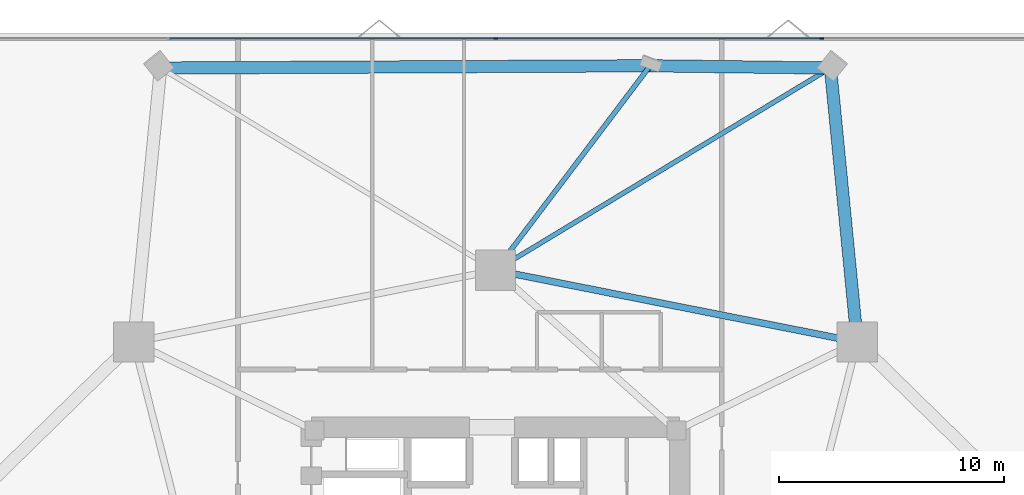
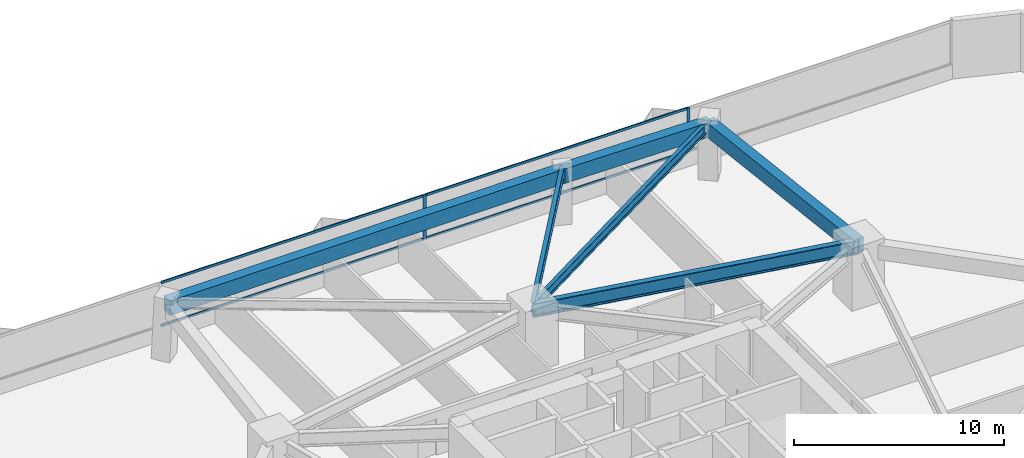
# One storey, part 12 of 20: 6 beams, 6 members, 1 element without a shape of its own.
"""IFC4 building model written with IfcOpenShell, lengths in metres."""

from ifc_helpers import new_model, si_unit, direction, frame, origin, origin_2d, place, context, subcontext, project, spatial, rectangle, i_section, extrude, material, layer, layer_set, material_profile, profile_set, type_object, element, aggregate, save


model = new_model("IFC4")

# Units and contexts
model_context = context("Model", 3, precision=1e-05, world=origin(), true_north=direction((0.0, 1.0)))
body_context = subcontext(model_context, "Body", "Model", "MODEL_VIEW")
ifc_project = project(units=[si_unit("LENGTHUNIT", "METRE"), si_unit("AREAUNIT", "SQUARE_METRE"), si_unit("VOLUMEUNIT", "CUBIC_METRE"), si_unit("PLANEANGLEUNIT", "RADIAN"), si_unit("MASSUNIT", "GRAM", prefix="KILO")], contexts=[model_context])

# Site, building, storey
site_placement = place(None, origin())
site = spatial("IfcSite", under=ifc_project, at=site_placement, CompositionType="ELEMENT")
building_placement = place(site_placement, origin())
building = spatial("IfcBuilding", under=site, at=building_placement, Name="Talyreon Biosciences Tower", CompositionType="ELEMENT")
storey_placement = place(building_placement, frame((0.0, 0.0, 41.050048828125)))
storey = spatial("IfcBuildingStorey", under=building, at=storey_placement, Name="L10", CompositionType="ELEMENT", Elevation=41.050048828125)

# Curtain wall, members
ifc_material_1 = material(Name="Thermally broken aluminium and low-E glazing", Category="aluminium")
ifc_layer = layer(ifc_material_1, 0.195068359375)
ifc_layer_set = layer_set([ifc_layer], Name="Thermally broken aluminium and low-E glazing")
curtain_wall_type = type_object("IfcCurtainWallType", Name="CurtainWall_Zone1WetLab", PredefinedType="NOTDEFINED", material=ifc_layer_set)
curtain_wall_placement = place(storey_placement, origin())
curtain_wall = element("IfcCurtainWall", 1, at=curtain_wall_placement, inside=storey, type_object=curtain_wall_type, Name="L10 Unitised Curtain Wall FCW-L10-04", PredefinedType="NOTDEFINED")
ifc_material_2 = material(Name="Anodised thermally broken aluminium", Category="aluminium")
ifc_material_profile_1 = material_profile(ifc_material_2, rectangle(XDim=0.06494140625, YDim=0.179931640625, at=origin_2d()), Name="ALUM MULLION 65x180")
ifc_profile_set_1 = profile_set([ifc_material_profile_1], Name="Anodised thermally broken aluminium")
member_type_1 = type_object("IfcMemberType", Name="CWMullion_65x180", PredefinedType="MULLION", material=ifc_profile_set_1)
member_1_placement = place(storey_placement, frame((66.0, 92.107421875, 0.81005859375), z_axis=(0.0, 0.0, 1.0), x_axis=(0.0, 1.0, 0.0)))
member_1 = element("IfcMember", 2, at=member_1_placement, type_object=member_type_1, Name="CW2 mullion 3", PredefinedType="MULLION", context=body_context, shape_type="SweptSolid", body=[
    extrude(rectangle(XDim=0.06494140625, YDim=0.179931640625, at=origin_2d()), origin(), (0.0, 0.0, 1.0), 2.56494140625),
])
member_2_placement = place(storey_placement, frame((80.52294921875, 92.107421875, 0.81005859375), z_axis=(0.0, 0.0, 1.0), x_axis=(0.0, 1.0, 0.0)))
member_2 = element("IfcMember", 3, at=member_2_placement, type_object=member_type_1, Name="CW2 mullion 4", PredefinedType="MULLION", context=body_context, shape_type="SweptSolid", body=[
    extrude(rectangle(XDim=0.06494140625, YDim=0.179931640625, at=origin_2d()), origin(), (0.0, 0.0, 1.0), 2.56494140625),
])
ifc_material_profile_2 = material_profile(ifc_material_2, rectangle(XDim=0.06494140625, YDim=0.139892578125, at=origin_2d()), Name="ALUM TRANSOM 65x140")
ifc_profile_set_2 = profile_set([ifc_material_profile_2], Name="Anodised thermally broken aluminium")
member_type_2 = type_object("IfcMemberType", Name="CWTransom_65x140", PredefinedType="USERDEFINED", material=ifc_profile_set_2)
member_3_placement = place(storey_placement, frame((51.509521484375, 92.107421875, 0.842529296875), z_axis=(1.0, 0.0, 0.0), x_axis=(0.0, 1.0, 0.0)))
member_3 = element("IfcMember", 4, at=member_3_placement, type_object=member_type_2, Name="CW2 transom 2.1", ObjectType="TRANSOM", PredefinedType="USERDEFINED", context=body_context, shape_type="SweptSolid", body=[
    extrude(rectangle(XDim=0.06494140625, YDim=0.139892578125, at=origin_2d()), origin(), (0.0, 0.0, 1.0), 14.4580078125),
])
member_4_placement = place(storey_placement, frame((51.509521484375, 92.107421875, 3.342529296875), z_axis=(1.0, 0.0, 0.0), x_axis=(0.0, 1.0, 0.0)))
member_4 = element("IfcMember", 5, at=member_4_placement, type_object=member_type_2, Name="CW2 transom 2.2", ObjectType="TRANSOM", PredefinedType="USERDEFINED", context=body_context, shape_type="SweptSolid", body=[
    extrude(rectangle(XDim=0.06494140625, YDim=0.139892578125, at=origin_2d()), origin(), (0.0, 0.0, 1.0), 14.4580078125),
])
member_5_placement = place(storey_placement, frame((66.032470703125, 92.107421875, 0.842529296875), z_axis=(1.0, 0.0, 0.0), x_axis=(0.0, 1.0, 0.0)))
member_5 = element("IfcMember", 6, at=member_5_placement, type_object=member_type_2, Name="CW2 transom 3.1", ObjectType="TRANSOM", PredefinedType="USERDEFINED", context=body_context, shape_type="SweptSolid", body=[
    extrude(rectangle(XDim=0.06494140625, YDim=0.139892578125, at=origin_2d()), origin(), (0.0, 0.0, 1.0), 14.4580078125),
])
member_6_placement = place(storey_placement, frame((66.032470703125, 92.107421875, 3.342529296875), z_axis=(1.0, 0.0, 0.0), x_axis=(0.0, 1.0, 0.0)))
member_6 = element("IfcMember", 7, at=member_6_placement, type_object=member_type_2, Name="CW2 transom 3.2", ObjectType="TRANSOM", PredefinedType="USERDEFINED", context=body_context, shape_type="SweptSolid", body=[
    extrude(rectangle(XDim=0.06494140625, YDim=0.139892578125, at=origin_2d()), origin(), (0.0, 0.0, 1.0), 14.4580078125),
])
aggregate(curtain_wall, [member_1, member_2, member_3, member_4, member_5, member_6])

# Beams
ifc_material_3 = material(Name="Precast concrete C45/55", Category="concrete")
ifc_material_profile_3 = material_profile(ifc_material_3, rectangle(XDim=0.550048828125, YDim=0.85009765625, at=origin_2d()), Name="RCB 550x850")
ifc_profile_set_3 = profile_set([ifc_material_profile_3], Name="Precast concrete C45/55")
beam_type_1 = type_object("IfcBeamType", Name="ExpressedSpandrel_550x850", PredefinedType="SPANDREL", material=ifc_profile_set_3)
beam_1_placement = place(storey_placement, frame((82.102294921875, 78.5986328125, 2.949951171875), z_axis=(-0.097475453477, 0.995237929326, 0.0), x_axis=(-0.995237929326, -0.097475453477, 0.0)))
element("IfcBeam", 8, at=beam_1_placement, inside=storey, type_object=beam_type_1, Name="L10 Expressed Horizontal Concrete Spandrel 05", PredefinedType="SPANDREL", context=body_context, shape_type="SweptSolid", body=[
    extrude(rectangle(XDim=0.550048828125, YDim=0.85009765625, at=origin_2d()), origin(), (0.0, 0.0, 1.0), 12.252685546875),
])
beam_2_placement = place(storey_placement, frame((80.907958984375, 90.79296875, 2.949951171875), z_axis=(-0.999922263773, 0.012468617036, 0.0), x_axis=(-0.012468617036, -0.999922263773, 0.0)))
element("IfcBeam", 9, at=beam_2_placement, inside=storey, type_object=beam_type_1, Name="L10 Expressed Horizontal Concrete Spandrel 06", PredefinedType="SPANDREL", context=body_context, shape_type="SweptSolid", body=[
    extrude(rectangle(XDim=0.550048828125, YDim=0.85009765625, at=origin_2d()), origin(), (0.0, 0.0, 1.0), 8.028076171875),
])
beam_3_placement = place(storey_placement, frame((72.880615234375, 90.89306640625, 2.949951171875), z_axis=(-0.99998944755, -0.004593994952, 0.0), x_axis=(0.004593994952, -0.99998944755, 0.0)))
element("IfcBeam", 10, at=beam_3_placement, inside=storey, type_object=beam_type_1, Name="L10 Expressed Horizontal Concrete Spandrel 07", PredefinedType="SPANDREL", context=body_context, shape_type="SweptSolid", body=[
    extrude(rectangle(XDim=0.550048828125, YDim=0.85009765625, at=origin_2d()), origin(), (0.0, 0.0, 1.0), 21.788818359375),
])
ifc_material_4 = material(Name="Steel SM355", Category="steel")
ifc_material_profile_4 = material_profile(ifc_material_4, i_section(OverallWidth=0.300048828125, OverallDepth=0.800048828125, WebThickness=0.017578125, FlangeThickness=0.032958984375, FilletRadius=0.030029296875, at=origin_2d()), Name="HE800B")
ifc_profile_set_4 = profile_set([ifc_material_profile_4], Name="Steel SM355")
beam_type_2 = type_object("IfcBeamType", Name="SteelGirder_HE800B", PredefinedType="BEAM", material=ifc_profile_set_4)
beam_4_placement = place(storey_placement, frame((82.102294921875, 78.5986328125, 2.974853515625), z_axis=(-0.980933730698, 0.194342522311, 0.0), x_axis=(-0.194342522311, -0.980933730698, 0.0)))
element("IfcBeam", 11, at=beam_4_placement, inside=storey, type_object=beam_type_2, Name="L10 Mega-Ring Girder 3", PredefinedType="BEAM", context=body_context, shape_type="SweptSolid", body=[
    extrude(i_section(OverallWidth=0.300048828125, OverallDepth=0.800048828125, WebThickness=0.017578125, FlangeThickness=0.032958984375, FilletRadius=0.030029296875, at=origin_2d()), origin(), (0.0, 0.0, 1.0), 16.415283203125),
])
ifc_material_profile_5 = material_profile(ifc_material_4, i_section(OverallWidth=0.2099609375, OverallDepth=0.550048828125, WebThickness=0.010986328125, FlangeThickness=0.01708984375, FilletRadius=0.02392578125, at=origin_2d()), Name="IPE550")
ifc_profile_set_5 = profile_set([ifc_material_profile_5], Name="Steel SM355")
beam_type_3 = type_object("IfcBeamType", Name="SteelJoist_IPE550", PredefinedType="JOIST", material=ifc_profile_set_5)
beam_5_placement = place(storey_placement, frame((66.0, 81.788818359375, 3.099853515625), z_axis=(0.855985205529, 0.517000317133, 0.0), x_axis=(-0.517000317133, 0.855985205529, 0.0)))
element("IfcBeam", 12, at=beam_5_placement, inside=storey, type_object=beam_type_3, Name="L10 Radial Composite Floor Joist PC-N1", PredefinedType="JOIST", context=body_context, shape_type="SweptSolid", body=[
    extrude(i_section(OverallWidth=0.2099609375, OverallDepth=0.550048828125, WebThickness=0.010986328125, FlangeThickness=0.01708984375, FilletRadius=0.02392578125, at=origin_2d()), origin(), (0.0, 0.0, 1.0), 17.416259765625),
])
ifc_material_profile_6 = material_profile(ifc_material_4, i_section(OverallWidth=0.219970703125, OverallDepth=0.60009765625, WebThickness=0.011962890625, FlangeThickness=0.01904296875, FilletRadius=0.02392578125, at=origin_2d()), Name="IPE600")
ifc_profile_set_6 = profile_set([ifc_material_profile_6], Name="Steel SM355")
beam_type_4 = type_object("IfcBeamType", Name="SteelJoist_IPE600", PredefinedType="JOIST", material=ifc_profile_set_6)
beam_6_placement = place(storey_placement, frame((66.0, 81.788818359375, 3.074951171875), z_axis=(0.602936285979, 0.797789342527, 0.0), x_axis=(-0.797789342527, 0.602936285979, 0.0)))
element("IfcBeam", 13, at=beam_6_placement, inside=storey, type_object=beam_type_4, Name="L10 Radial Composite Floor Joist PL-N", PredefinedType="JOIST", context=body_context, shape_type="SweptSolid", body=[
    extrude(i_section(OverallWidth=0.219970703125, OverallDepth=0.60009765625, WebThickness=0.011962890625, FlangeThickness=0.01904296875, FilletRadius=0.02392578125, at=origin_2d()), origin(), (0.0, 0.0, 1.0), 11.411865234375),
])

save(model, "model.ifc")
